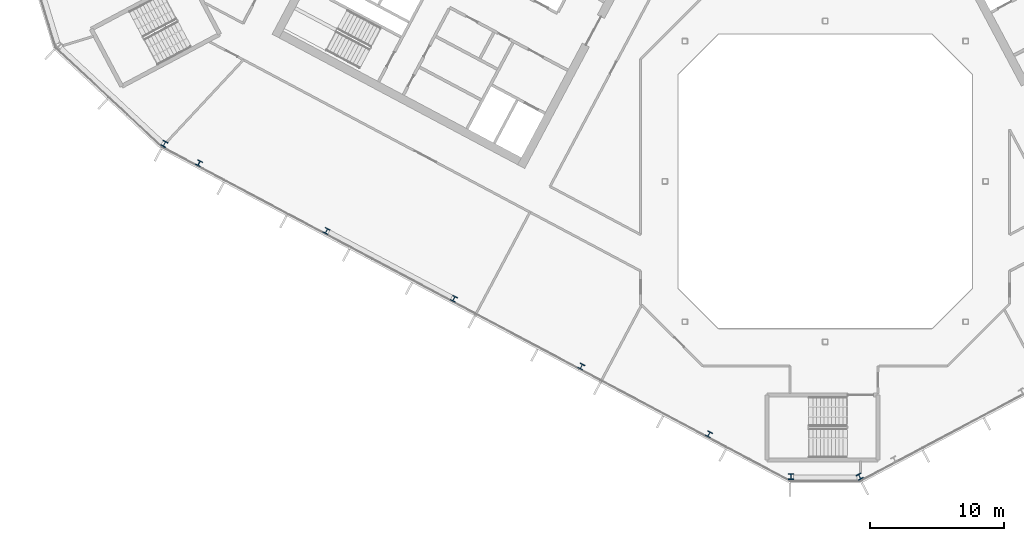
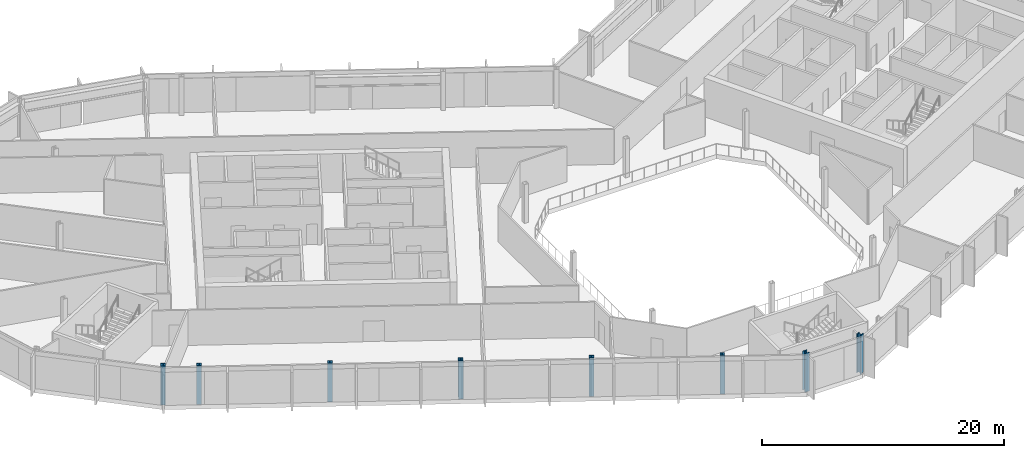
# One storey, part 1 of 31: 8 columns.
"""IFC4 building model written with IfcOpenShell, lengths in metres."""

from ifc_helpers import new_model, si_unit, direction, frame, origin, origin_2d, place, context, subcontext, project, spatial, i_section, extrude, material, material_profile, profile_set, type_object, element, save


model = new_model("IFC4")

# Units and contexts
model_context = context("Model", 3, precision=1e-05, world=origin(), true_north=direction((0.0, 1.0)))
body_context = subcontext(model_context, "Body", "Model", "MODEL_VIEW")
ifc_project = project(units=[si_unit("LENGTHUNIT", "METRE"), si_unit("AREAUNIT", "SQUARE_METRE"), si_unit("VOLUMEUNIT", "CUBIC_METRE"), si_unit("PLANEANGLEUNIT", "RADIAN"), si_unit("MASSUNIT", "GRAM", prefix="KILO")], contexts=[model_context])

# Site, building, storey
site_placement = place(None, origin())
site = spatial("IfcSite", under=ifc_project, at=site_placement, CompositionType="ELEMENT")
building_placement = place(site_placement, origin())
building = spatial("IfcBuilding", under=site, at=building_placement, Name="Cormorant Relay Tower", CompositionType="ELEMENT")
storey_placement = place(building_placement, frame((0.0, 0.0, 189.60009765625)))
storey = spatial("IfcBuildingStorey", under=building, at=storey_placement, Name="L40", CompositionType="ELEMENT", Elevation=189.60009765625)

# Columns
ifc_material_1 = material(Name="Steel ASTM A992 (Fy 345 MPa)", Category="steel")
ifc_material_profile_1 = material_profile(ifc_material_1, i_section(OverallWidth=0.40380859375, OverallDepth=0.406494140625, WebThickness=0.027099609375, FlangeThickness=0.043701171875, FilletRadius=0.01513671875, at=origin_2d()), Name="W360x347")
ifc_profile_set_1 = profile_set([ifc_material_profile_1], Name="Steel ASTM A992 (Fy 345 MPa)")
column_type_1 = type_object("IfcColumnType", Name="Column W360x347", PredefinedType="COLUMN", material=ifc_profile_set_1)
for number, where, z_axis, x_axis, name in (
    (1, (-8.700927734375, -18.919921875, 0.0), (0.0, 0.0, 1.0), (0.882947592859, -0.469471562786, 0.0), "Column L40-004"),
    (2, (-18.237060546875, -13.85009765625, 0.0), (0.0, 0.0, 1.0), (0.882947592859, -0.469471562786, 0.0), "Column L40-006"),
    (3, (-27.77197265625, -8.779052734375, 0.0), (0.0, 0.0, 1.0), (0.882947592859, -0.469471562786, 0.0), "Column L40-011"),
    (4, (-37.30810546875, -3.708984375, 0.0), (0.0, 0.0, 1.0), (0.882947592859, -0.469471562786, 0.0), "Column L40-013"),
    (5, (-46.843994140625, 1.361083984375, 0.0), (0.0, 0.0, 1.0), (0.882947592859, -0.469471562786, 0.0), "Column L40-017"),
):
    element("IfcColumn", number, at=place(storey_placement, frame(where, z_axis=z_axis, x_axis=x_axis)), inside=storey, type_object=column_type_1, Name=name, PredefinedType="COLUMN", context=body_context, shape_type="SweptSolid", body=[
        extrude(i_section(OverallWidth=0.40380859375, OverallDepth=0.406494140625, WebThickness=0.027099609375, FlangeThickness=0.043701171875, FilletRadius=0.01513671875, at=origin_2d()), origin(), (0.0, 0.0, 1.0), 3.89990234375),
    ])
ifc_material_2 = material(Name="Steel ASTM A992 (Fy 345 MPa)", Category="steel")
ifc_material_profile_2 = material_profile(ifc_material_2, i_section(OverallWidth=0.41162109375, OverallDepth=0.434326171875, WebThickness=0.035888671875, FlangeThickness=0.057373046875, FilletRadius=0.01513671875, at=origin_2d()), Name="W360x463")
ifc_profile_set_2 = profile_set([ifc_material_profile_2], Name="Steel ASTM A992 (Fy 345 MPa)")
column_type_2 = type_object("IfcColumnType", Name="Column W360x463", PredefinedType="COLUMN", material=ifc_profile_set_2)
for number, where, z_axis, x_axis, name in (
    (6, (-2.575927734375, -22.083984375, 0.0), (0.0, 0.0, 1.0), (1.0, 0.0, 0.0), "Column L40-001"),
    (7, (2.575927734375, -22.083984375, 0.0), (0.0, 0.0, 1.0), (0.882947592859, 0.469471562786, 0.0), "Column L40-002"),
    (8, (-49.43505859375, 2.803955078125, 0.0), (0.0, 0.0, 1.0), (0.882947592859, -0.469471562786, 0.0), "Column L40-018"),
):
    element("IfcColumn", number, at=place(storey_placement, frame(where, z_axis=z_axis, x_axis=x_axis)), inside=storey, type_object=column_type_2, Name=name, PredefinedType="COLUMN", context=body_context, shape_type="SweptSolid", body=[
        extrude(i_section(OverallWidth=0.41162109375, OverallDepth=0.434326171875, WebThickness=0.035888671875, FlangeThickness=0.057373046875, FilletRadius=0.01513671875, at=origin_2d()), origin(), (0.0, 0.0, 1.0), 3.89990234375),
    ])

save(model, "model.ifc")
